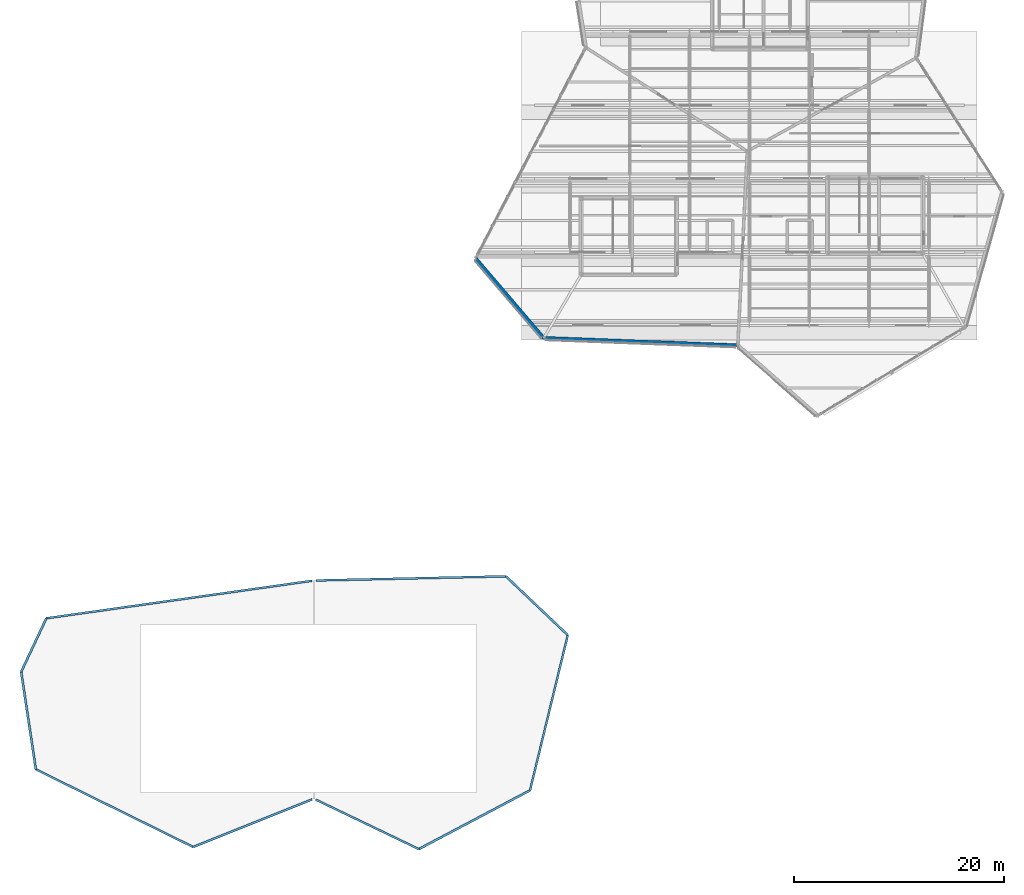
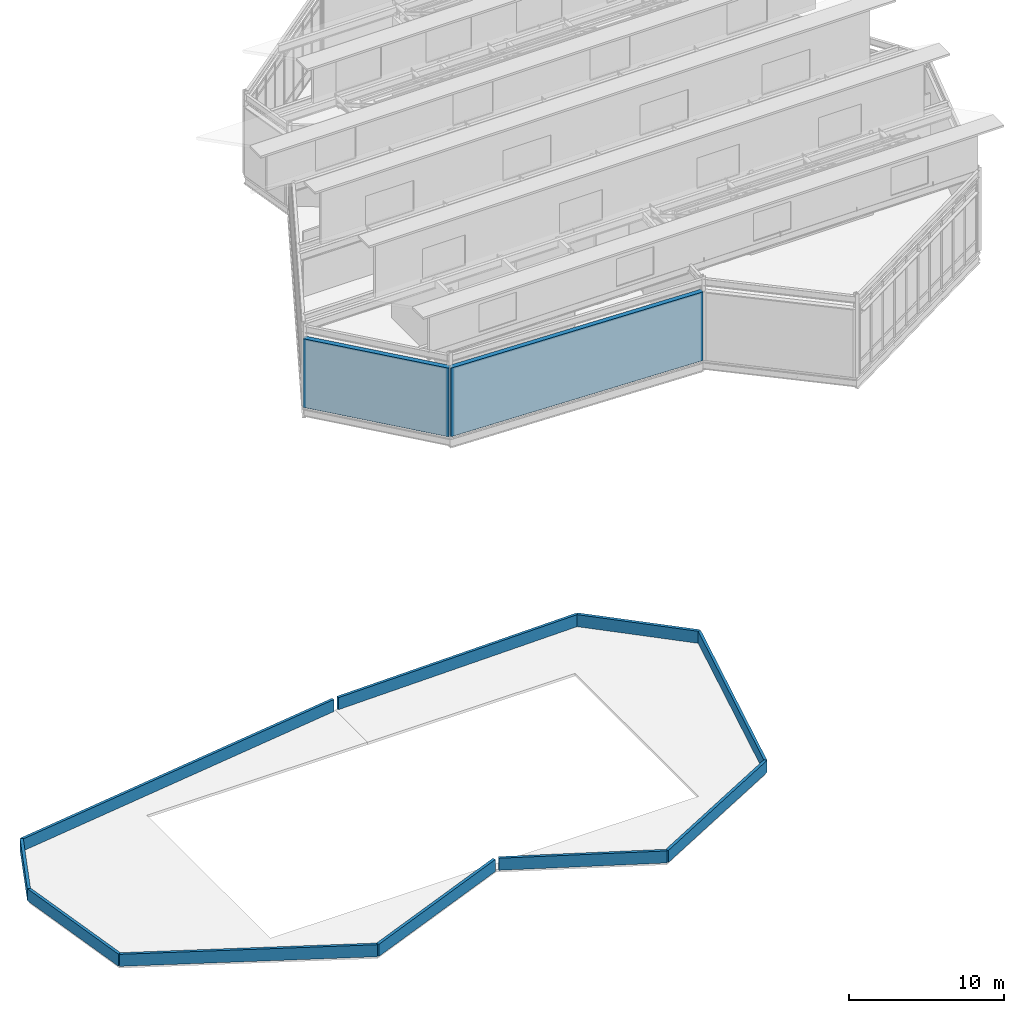
# One storey, part 51 of 55: 12 walls.
"""IFC4 building model written with IfcOpenShell, lengths in metres."""

from ifc_helpers import new_model, si_unit, direction, frame, frame_2d, origin, place, context, subcontext, project, spatial, rectangle, extrude, material, layer, layer_set, type_object, element, save


model = new_model("IFC4")

# Units and contexts
model_context = context("Model", 3, precision=1e-05, world=origin(), true_north=direction((0.0, 1.0)))
body_context = subcontext(model_context, "Body", "Model", "MODEL_VIEW")
ifc_project = project(units=[si_unit("LENGTHUNIT", "METRE"), si_unit("AREAUNIT", "SQUARE_METRE"), si_unit("VOLUMEUNIT", "CUBIC_METRE"), si_unit("PLANEANGLEUNIT", "RADIAN"), si_unit("MASSUNIT", "GRAM", prefix="KILO")], contexts=[model_context])

# Site, building, storey
site_placement = place(None, origin())
site = spatial("IfcSite", under=ifc_project, at=site_placement, CompositionType="ELEMENT")
building_placement = place(site_placement, origin())
building = spatial("IfcBuilding", under=site, at=building_placement, Name="Tameran Prism Museum", CompositionType="ELEMENT")
storey_placement = place(building_placement, frame((0.0, 0.0, 28.800048828125)))
storey = spatial("IfcBuildingStorey", under=building, at=storey_placement, Name="L05", CompositionType="ELEMENT", Elevation=28.800048828125)

# Walls
ifc_material_1 = material(Name="Precast Concrete N40 (40 MPa)", Category="concrete")
ifc_layer_1 = layer(ifc_material_1, 0.340087890625)
ifc_layer_set_1 = layer_set([ifc_layer_1])
wall_type_1 = type_object("IfcWallType", Name="EW-GAL-340", PredefinedType="SOLIDWALL", material=ifc_layer_set_1)
wall_1_placement = place(storey_placement, frame((117.840087890625, 70.60205078125, 0.0), z_axis=(0.0, 0.0, 1.0), x_axis=(-0.999284381651, 0.037824920194, 0.0)))
element("IfcWall", 1, at=wall_1_placement, inside=storey, type_object=wall_type_1, Name="Exterior Fluted Precast Wall EW-0454", PredefinedType="SOLIDWALL", context=body_context, shape_type="SweptSolid", body=[
    extrude(rectangle(XDim=18.453369140625, YDim=0.340087890625, at=frame_2d((9.2265625, 0.0))), origin(), (0.0, 0.0, 1.0), 5.419921875),
])
wall_2_placement = place(storey_placement, frame((99.39990234375, 71.300048828125, 0.0), z_axis=(0.0, 0.0, 1.0), x_axis=(-0.649974737731, 0.75995581471, 0.0)))
element("IfcWall", 2, at=wall_2_placement, inside=storey, type_object=wall_type_1, Name="Exterior Fluted Precast Wall EW-0457", PredefinedType="SOLIDWALL", context=body_context, shape_type="SweptSolid", body=[
    extrude(rectangle(XDim=10.00048828125, YDim=0.340087890625, at=frame_2d((5.000244140625, 0.0))), origin(), (0.0, 0.0, 1.0), 5.419921875),
])
ifc_material_2 = material(Name="Precast Concrete N40 (40 MPa)", Category="concrete")
ifc_layer_2 = layer(ifc_material_2, 0.195068359375)
ifc_layer_set_2 = layer_set([ifc_layer_2])
wall_type_2 = type_object("IfcWallType", Name="EW-PAR-195", PredefinedType="PARAPET", material=ifc_layer_set_2)
wall_3_placement = place(storey_placement, frame((51.0, 30.199951171875, 0.0), z_axis=(0.0, 0.0, 1.0), x_axis=(0.896808201334, -0.44241954073, 0.0)))
element("IfcWall", 3, at=wall_3_placement, inside=storey, type_object=wall_type_2, Name="Roof Parapet EP-031", PredefinedType="PARAPET", context=body_context, shape_type="SweptSolid", body=[
    extrude(rectangle(XDim=16.72607421875, YDim=0.195068359375, at=frame_2d((8.363037109375, 0.0))), origin(), (0.0, 0.0, 1.0), 0.949951171875),
])
wall_4_placement = place(storey_placement, frame((77.320068359375, 48.175048828125, 0.0), z_axis=(0.0, 0.0, 1.0), x_axis=(-0.990179221619, -0.13980382353, 0.0)))
element("IfcWall", 4, at=wall_4_placement, inside=storey, type_object=wall_type_2, Name="Roof Parapet EP-033", PredefinedType="PARAPET", context=body_context, shape_type="SweptSolid", body=[
    extrude(rectangle(XDim=25.5712890625, YDim=0.195068359375, at=frame_2d((12.78564453125, 0.0))), origin(), (0.0, 0.0, 1.0), 0.949951171875),
])
wall_5_placement = place(storey_placement, frame((77.662109375, 27.322021484375, 0.0), z_axis=(0.0, 0.0, 1.0), x_axis=(0.901532483486, -0.432711429499, 0.0)))
element("IfcWall", 5, at=wall_5_placement, inside=storey, type_object=wall_type_2, Name="Roof Parapet EP-035", PredefinedType="PARAPET", context=body_context, shape_type="SweptSolid", body=[
    extrude(rectangle(XDim=10.912353515625, YDim=0.195068359375, at=frame_2d((5.4560546875, 0.0))), origin(), (0.0, 0.0, 1.0), 0.949951171875),
])
wall_6_placement = place(storey_placement, frame((98.10009765625, 28.199951171875, 0.0), z_axis=(0.0, 0.0, 1.0), x_axis=(0.236341762997, 0.971669990822, 0.0)))
element("IfcWall", 6, at=wall_6_placement, inside=storey, type_object=wall_type_2, Name="Roof Parapet EP-037", PredefinedType="PARAPET", context=body_context, shape_type="SweptSolid", body=[
    extrude(rectangle(XDim=15.2314453125, YDim=0.195068359375, at=frame_2d((7.61572265625, 0.0))), origin(), (0.0, 0.0, 1.0), 0.949951171875),
])
wall_7_placement = place(storey_placement, frame((95.800048828125, 48.60009765625, 0.0), z_axis=(0.0, 0.0, 1.0), x_axis=(-0.999761287987, -0.021848730923, 0.0)))
element("IfcWall", 7, at=wall_7_placement, inside=storey, type_object=wall_type_2, Name="Roof Parapet EP-039", PredefinedType="PARAPET", context=body_context, shape_type="SweptSolid", body=[
    extrude(rectangle(XDim=18.12451171875, YDim=0.195068359375, at=frame_2d((9.062255859375, 0.0))), origin(), (0.0, 0.0, 1.0), 0.949951171875),
])
ifc_material_3 = material(Name="Precast Concrete N40 (40 MPa)", Category="concrete")
ifc_layer_3 = layer(ifc_material_3, 0.215087890625)
ifc_layer_set_3 = layer_set([ifc_layer_3])
wall_type_3 = type_object("IfcWallType", Name="EW-PAR-215", PredefinedType="PARAPET", material=ifc_layer_set_3)
wall_8_placement = place(storey_placement, frame((49.60009765625, 39.5, 0.0), z_axis=(0.0, 0.0, 1.0), x_axis=(0.148849460064, -0.988859867847, 0.0)))
element("IfcWall", 8, at=wall_8_placement, inside=storey, type_object=wall_type_3, Name="Roof Parapet EP-030", PredefinedType="PARAPET", context=body_context, shape_type="SweptSolid", body=[
    extrude(rectangle(XDim=9.40478515625, YDim=0.215087890625, at=frame_2d((4.702392578125, 0.0))), origin(), (0.0, 0.0, 1.0), 0.949951171875),
])
wall_9_placement = place(storey_placement, frame((66.0, 22.800048828125, 0.0), z_axis=(0.0, 0.0, 1.0), x_axis=(0.928483587898, 0.371373433358, 0.0)))
element("IfcWall", 9, at=wall_9_placement, inside=storey, type_object=wall_type_3, Name="Roof Parapet EP-032", PredefinedType="PARAPET", context=body_context, shape_type="SweptSolid", body=[
    extrude(rectangle(XDim=12.205810546875, YDim=0.215087890625, at=frame_2d((6.10302734375, 0.0))), origin(), (0.0, 0.0, 1.0), 0.949951171875),
])
wall_10_placement = place(storey_placement, frame((52.0, 44.60009765625, 0.0), z_axis=(0.0, 0.0, 1.0), x_axis=(-0.425776176805, -0.904828518154, 0.0)))
element("IfcWall", 10, at=wall_10_placement, inside=storey, type_object=wall_type_3, Name="Roof Parapet EP-034", PredefinedType="PARAPET", context=body_context, shape_type="SweptSolid", body=[
    extrude(rectangle(XDim=5.636474609375, YDim=0.215087890625, at=frame_2d((2.818359375, 0.0))), origin(), (0.0, 0.0, 1.0), 0.949951171875),
])
wall_11_placement = place(storey_placement, frame((87.5, 22.60009765625, 0.0), z_axis=(0.0, 0.0, 1.0), x_axis=(0.884200208153, 0.46710811586, 0.0)))
element("IfcWall", 11, at=wall_11_placement, inside=storey, type_object=wall_type_3, Name="Roof Parapet EP-036", PredefinedType="PARAPET", context=body_context, shape_type="SweptSolid", body=[
    extrude(rectangle(XDim=11.98828125, YDim=0.215087890625, at=frame_2d((5.994140625, 0.0))), origin(), (0.0, 0.0, 1.0), 0.949951171875),
])
wall_12_placement = place(storey_placement, frame((101.699951171875, 43.0, 0.0), z_axis=(0.0, 0.0, 1.0), x_axis=(-0.725294606745, 0.688438619942, 0.0)))
element("IfcWall", 12, at=wall_12_placement, inside=storey, type_object=wall_type_3, Name="Roof Parapet EP-038", PredefinedType="PARAPET", context=body_context, shape_type="SweptSolid", body=[
    extrude(rectangle(XDim=8.134521484375, YDim=0.215087890625, at=frame_2d((4.0673828125, 0.0))), origin(), (0.0, 0.0, 1.0), 0.949951171875),
])

save(model, "model.ifc")
